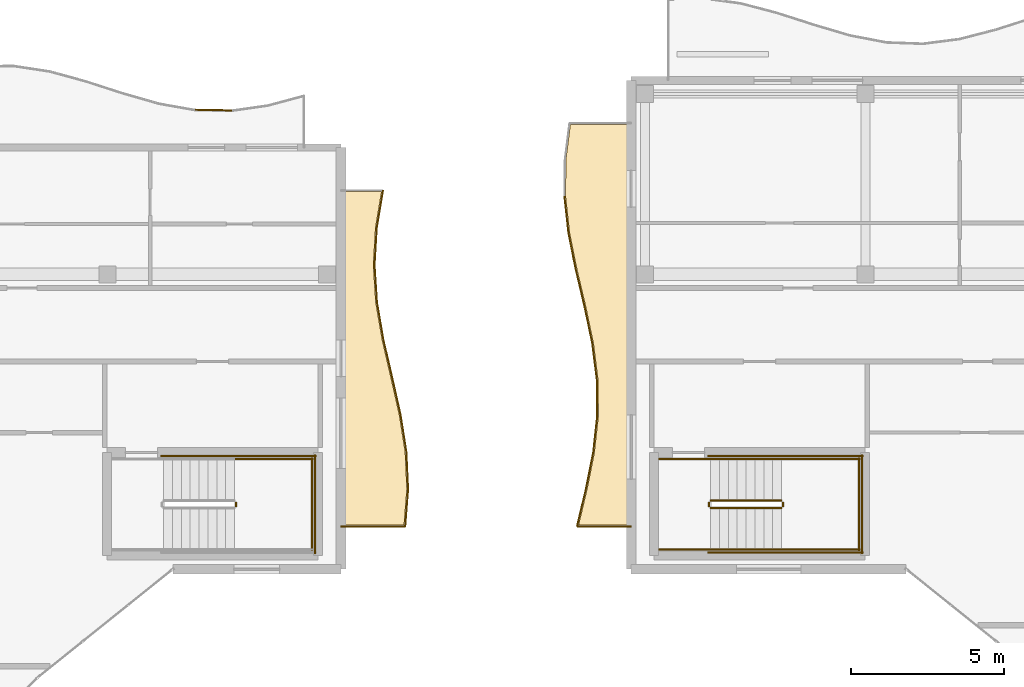
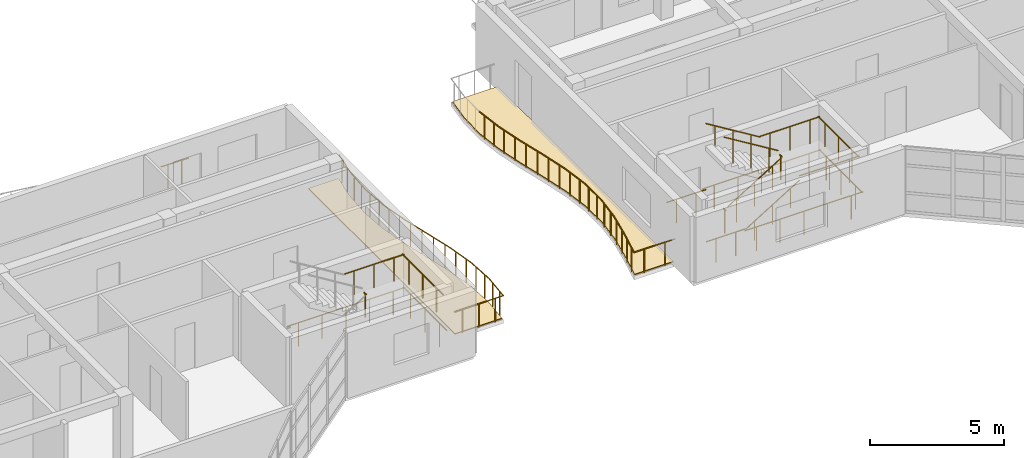
# One storey, part 45 of 49: 40 railings, 2 coverings.
"""IFC4 building model written with IfcOpenShell, lengths in metres."""

from ifc_helpers import new_model, si_unit, direction, frame, origin, origin_2d, place, context, subcontext, project, spatial, polyline, circle, outline, extrude, material, layer, layer_set, type_object, element, save


model = new_model("IFC4")

# Units and contexts
model_context = context("Model", 3, precision=1e-05, world=origin(), true_north=direction((0.0, 1.0)))
body_context = subcontext(model_context, "Body", "Model", "MODEL_VIEW")
ifc_project = project(units=[si_unit("LENGTHUNIT", "METRE"), si_unit("AREAUNIT", "SQUARE_METRE"), si_unit("VOLUMEUNIT", "CUBIC_METRE"), si_unit("PLANEANGLEUNIT", "RADIAN"), si_unit("MASSUNIT", "GRAM", prefix="KILO")], contexts=[model_context])

# Site, building, storey
site_placement = place(None, origin())
site = spatial("IfcSite", under=ifc_project, at=site_placement, CompositionType="ELEMENT")
building_placement = place(site_placement, origin())
building = spatial("IfcBuilding", under=site, at=building_placement, Name="Keldmere Railside Commons", CompositionType="ELEMENT")
storey_placement = place(building_placement, frame((0.0, 0.0, 29.760009765625)))
storey = spatial("IfcBuildingStorey", under=building, at=storey_placement, Name="L09", CompositionType="ELEMENT", Elevation=29.760009765625)

# Railings
ifc_material_1 = material(Name="Steel F-24 (S235)", Category="steel")
railing_type_1 = type_object("IfcRailingType", Name="Balcony & Terrace Steel Balustrade 1100", PredefinedType="BALUSTRADE", material=ifc_material_1)
railing_1_placement = place(storey_placement, frame((132.734375, 115.037109375, 0.0)))
element("IfcRailing", 1, at=railing_1_placement, inside=storey, type_object=railing_type_1, Name="GR-1 GRD-L09-2872", PredefinedType="BALUSTRADE", context=body_context, shape_type="SweptSolid", body=[
    extrude(circle(Radius=0.02392578125, at=origin_2d()), frame((0.0, 0.0, 1.076171875), z_axis=(0.999832914016, -0.018279607508, 0.0), x_axis=(0.018279607508, 0.999832914016, 0.0)), (0.0, 0.0, 1.0), 1.188720703125),
    extrude(circle(Radius=0.02099609375, at=origin_2d()), frame((0.297119140625, -0.00537109375, 0.0)), (0.0, 0.0, 1.0), 1.048095703125),
    extrude(circle(Radius=0.02099609375, at=origin_2d()), frame((0.891357421875, -0.016357421875, 0.0)), (0.0, 0.0, 1.0), 1.048095703125),
])
railing_2_placement = place(storey_placement, frame((137.5, 101.39990234375, 0.0)))
element("IfcRailing", 2, at=railing_2_placement, inside=storey, type_object=railing_type_1, Name="GR-1 GRD-L09-2922", PredefinedType="BALUSTRADE", context=body_context, shape_type="SweptSolid", body=[
    extrude(circle(Radius=0.02392578125, at=origin_2d()), frame((0.0, 0.0, 1.076171875), z_axis=(1.0, 0.0, 0.0), x_axis=(0.0, 1.0, 0.0)), (0.0, 0.0, 1.0), 2.102783203125),
    extrude(circle(Radius=0.02099609375, at=origin_2d()), frame((0.3505859375, 0.0, 0.0)), (0.0, 0.0, 1.0), 1.048095703125),
    extrude(circle(Radius=0.02099609375, at=origin_2d()), frame((1.05126953125, 0.0, 0.0)), (0.0, 0.0, 1.0), 1.048095703125),
    extrude(circle(Radius=0.02099609375, at=origin_2d()), frame((1.75244140625, 0.0, 0.0)), (0.0, 0.0, 1.0), 1.048095703125),
])
railing_3_placement = place(storey_placement, frame((139.602783203125, 101.39990234375, 0.0)))
element("IfcRailing", 3, at=railing_3_placement, inside=storey, type_object=railing_type_1, Name="GR-1 GRD-L09-2923", PredefinedType="BALUSTRADE", context=body_context, shape_type="SweptSolid", body=[
    extrude(circle(Radius=0.02392578125, at=origin_2d()), frame((0.0, 0.0, 1.076171875), z_axis=(0.078051554831, 0.996949324082, 0.0), x_axis=(-0.996949324082, 0.078051554831, 0.0)), (0.0, 0.0, 1.0), 1.22607421875),
    extrude(circle(Radius=0.02099609375, at=origin_2d()), frame((0.02392578125, 0.3056640625, 0.0)), (0.0, 0.0, 1.0), 1.048095703125),
    extrude(circle(Radius=0.02099609375, at=origin_2d()), frame((0.07177734375, 0.916748046875, 0.0)), (0.0, 0.0, 1.0), 1.048095703125),
])
railing_4_placement = place(storey_placement, frame((139.698486328125, 102.622314453125, 0.0)))
element("IfcRailing", 4, at=railing_4_placement, inside=storey, type_object=railing_type_1, Name="GR-1 GRD-L09-2924", PredefinedType="BALUSTRADE", context=body_context, shape_type="SweptSolid", body=[
    extrude(circle(Radius=0.02392578125, at=origin_2d()), frame((0.0, 0.0, 1.076171875), z_axis=(-0.046095576278, 0.998937033975, 0.0), x_axis=(-0.998937033975, -0.046095576278, 0.0)), (0.0, 0.0, 1.0), 1.223388671875),
    extrude(circle(Radius=0.02099609375, at=origin_2d()), frame((-0.01416015625, 0.3056640625, 0.0)), (0.0, 0.0, 1.0), 1.048095703125),
    extrude(circle(Radius=0.02099609375, at=origin_2d()), frame((-0.042236328125, 0.91650390625, 0.0)), (0.0, 0.0, 1.0), 1.048095703125),
])
railing_5_placement = place(storey_placement, frame((139.64208984375, 103.844482421875, 0.0)))
element("IfcRailing", 5, at=railing_5_placement, inside=storey, type_object=railing_type_1, Name="GR-1 GRD-L09-2925", PredefinedType="BALUSTRADE", context=body_context, shape_type="SweptSolid", body=[
    extrude(circle(Radius=0.02392578125, at=origin_2d()), frame((0.0, 0.0, 1.076171875), z_axis=(-0.155881512428, 0.987775761032, 0.0), x_axis=(-0.987775761032, -0.155881512428, 0.0)), (0.0, 0.0, 1.0), 1.2373046875),
    extrude(circle(Radius=0.02099609375, at=origin_2d()), frame((-0.04833984375, 0.3056640625, 0.0)), (0.0, 0.0, 1.0), 1.048095703125),
    extrude(circle(Radius=0.02099609375, at=origin_2d()), frame((-0.14453125, 0.91650390625, 0.0)), (0.0, 0.0, 1.0), 1.048095703125),
])
railing_6_placement = place(storey_placement, frame((139.44921875, 105.066650390625, 0.0)))
element("IfcRailing", 6, at=railing_6_placement, inside=storey, type_object=railing_type_1, Name="GR-1 GRD-L09-2926", PredefinedType="BALUSTRADE", context=body_context, shape_type="SweptSolid", body=[
    extrude(circle(Radius=0.02392578125, at=origin_2d()), frame((0.0, 0.0, 1.076171875), z_axis=(-0.220559874315, 0.975373437121, 0.0), x_axis=(-0.975373437121, -0.220559874315, 0.0)), (0.0, 0.0, 1.0), 1.2529296875),
    extrude(circle(Radius=0.02099609375, at=origin_2d()), frame((-0.069091796875, 0.3056640625, 0.0)), (0.0, 0.0, 1.0), 1.048095703125),
    extrude(circle(Radius=0.02099609375, at=origin_2d()), frame((-0.207275390625, 0.91650390625, 0.0)), (0.0, 0.0, 1.0), 1.048095703125),
])
railing_7_placement = place(storey_placement, frame((139.1728515625, 106.288818359375, 0.0)))
element("IfcRailing", 7, at=railing_7_placement, inside=storey, type_object=railing_type_1, Name="GR-1 GRD-L09-2927", PredefinedType="BALUSTRADE", context=body_context, shape_type="SweptSolid", body=[
    extrude(circle(Radius=0.02392578125, at=origin_2d()), frame((0.0, 0.0, 1.076171875), z_axis=(-0.225186428005, 0.974315694548, 0.0), x_axis=(-0.974315694548, -0.225186428005, 0.0)), (0.0, 0.0, 1.0), 1.25439453125),
    extrude(circle(Radius=0.02099609375, at=origin_2d()), frame((-0.070556640625, 0.3056640625, 0.0)), (0.0, 0.0, 1.0), 1.048095703125),
    extrude(circle(Radius=0.02099609375, at=origin_2d()), frame((-0.2119140625, 0.91650390625, 0.0)), (0.0, 0.0, 1.0), 1.048095703125),
])
railing_8_placement = place(storey_placement, frame((138.890380859375, 107.510986328125, 0.0)))
element("IfcRailing", 8, at=railing_8_placement, inside=storey, type_object=railing_type_1, Name="GR-1 GRD-L09-2928", PredefinedType="BALUSTRADE", context=body_context, shape_type="SweptSolid", body=[
    extrude(circle(Radius=0.02392578125, at=origin_2d()), frame((0.0, 0.0, 1.076171875), z_axis=(-0.16966303938, 0.985502132453, 0.0), x_axis=(-0.985502132453, -0.16966303938, 0.0)), (0.0, 0.0, 1.0), 1.240478515625),
    extrude(circle(Radius=0.02099609375, at=origin_2d()), frame((-0.052734375, 0.3056640625, 0.0)), (0.0, 0.0, 1.0), 1.048095703125),
    extrude(circle(Radius=0.02099609375, at=origin_2d()), frame((-0.15771484375, 0.916748046875, 0.0)), (0.0, 0.0, 1.0), 1.048095703125),
])
railing_9_placement = place(storey_placement, frame((138.679931640625, 108.7333984375, 0.0)))
element("IfcRailing", 9, at=railing_9_placement, inside=storey, type_object=railing_type_1, Name="GR-1 GRD-L09-2929", PredefinedType="BALUSTRADE", context=body_context, shape_type="SweptSolid", body=[
    extrude(circle(Radius=0.02392578125, at=origin_2d()), frame((0.0, 0.0, 1.076171875), z_axis=(-0.065182697633, 0.997873346637, 0.0), x_axis=(-0.997873346637, -0.065182697633, 0.0)), (0.0, 0.0, 1.0), 1.224853515625),
    extrude(circle(Radius=0.02099609375, at=origin_2d()), frame((-0.02001953125, 0.3056640625, 0.0)), (0.0, 0.0, 1.0), 1.048095703125),
    extrude(circle(Radius=0.02099609375, at=origin_2d()), frame((-0.059814453125, 0.91650390625, 0.0)), (0.0, 0.0, 1.0), 1.048095703125),
])
railing_10_placement = place(storey_placement, frame((138.60009765625, 109.95556640625, 0.0)))
element("IfcRailing", 10, at=railing_10_placement, inside=storey, type_object=railing_type_1, Name="GR-1 GRD-L09-2930", PredefinedType="BALUSTRADE", context=body_context, shape_type="SweptSolid", body=[
    extrude(circle(Radius=0.02392578125, at=origin_2d()), frame((0.0, 0.0, 1.076171875), z_axis=(0.059423371014, 0.998232870115, 0.0), x_axis=(-0.998232870115, 0.059423371014, 0.0)), (0.0, 0.0, 1.0), 1.224365234375),
    extrude(circle(Radius=0.02099609375, at=origin_2d()), frame((0.01806640625, 0.3056640625, 0.0)), (0.0, 0.0, 1.0), 1.048095703125),
    extrude(circle(Radius=0.02099609375, at=origin_2d()), frame((0.0546875, 0.91650390625, 0.0)), (0.0, 0.0, 1.0), 1.048095703125),
])
railing_11_placement = place(storey_placement, frame((138.6728515625, 111.177734375, 0.0)))
element("IfcRailing", 11, at=railing_11_placement, inside=storey, type_object=railing_type_1, Name="GR-1 GRD-L09-2931", PredefinedType="BALUSTRADE", context=body_context, shape_type="SweptSolid", body=[
    extrude(circle(Radius=0.02392578125, at=origin_2d()), frame((0.0, 0.0, 1.076171875), z_axis=(0.165868267609, 0.986147918824, 0.0), x_axis=(-0.986147918824, 0.165868267609, 0.0)), (0.0, 0.0, 1.0), 1.2392578125),
    extrude(circle(Radius=0.02099609375, at=origin_2d()), frame((0.05126953125, 0.3056640625, 0.0)), (0.0, 0.0, 1.0), 1.048095703125),
    extrude(circle(Radius=0.02099609375, at=origin_2d()), frame((0.154296875, 0.91650390625, 0.0)), (0.0, 0.0, 1.0), 1.048095703125),
])
railing_12_placement = place(storey_placement, frame((147.0, 101.39990234375, 0.0)))
element("IfcRailing", 12, at=railing_12_placement, inside=storey, type_object=railing_type_1, Name="GR-1 GRD-L09-4322", PredefinedType="BALUSTRADE", context=body_context, shape_type="SweptSolid", body=[
    extrude(circle(Radius=0.02392578125, at=origin_2d()), frame((0.0, 0.0, 1.076171875), z_axis=(-1.0, 0.0, 0.0), x_axis=(0.0, -1.0, 0.0)), (0.0, 0.0, 1.0), 1.772705078125),
    extrude(circle(Radius=0.02099609375, at=origin_2d()), frame((-0.443115234375, 0.0, 0.0)), (0.0, 0.0, 1.0), 1.048095703125),
    extrude(circle(Radius=0.02099609375, at=origin_2d()), frame((-1.32958984375, 0.0, 0.0)), (0.0, 0.0, 1.0), 1.048095703125),
])
railing_13_placement = place(storey_placement, frame((145.227294921875, 101.39990234375, 0.0)))
element("IfcRailing", 13, at=railing_13_placement, inside=storey, type_object=railing_type_1, Name="GR-1 GRD-L09-4323", PredefinedType="BALUSTRADE", context=body_context, shape_type="SweptSolid", body=[
    extrude(circle(Radius=0.02392578125, at=origin_2d()), frame((0.0, 0.0, 1.076171875), z_axis=(0.230782015464, 0.973005478576, 0.0), x_axis=(-0.973005478576, 0.230782015464, 0.0)), (0.0, 0.0, 1.0), 1.2333984375),
    extrude(circle(Radius=0.02099609375, at=origin_2d()), frame((0.0712890625, 0.300048828125, 0.0)), (0.0, 0.0, 1.0), 1.048095703125),
    extrude(circle(Radius=0.02099609375, at=origin_2d()), frame((0.21337890625, 0.900146484375, 0.0)), (0.0, 0.0, 1.0), 1.048095703125),
])
railing_14_placement = place(storey_placement, frame((145.511962890625, 102.60009765625, 0.0)))
element("IfcRailing", 14, at=railing_14_placement, inside=storey, type_object=railing_type_1, Name="GR-1 GRD-L09-4324", PredefinedType="BALUSTRADE", context=body_context, shape_type="SweptSolid", body=[
    extrude(circle(Radius=0.02392578125, at=origin_2d()), frame((0.0, 0.0, 1.076171875), z_axis=(0.196883292367, 0.9804269321, 0.0), x_axis=(-0.9804269321, 0.196883292367, 0.0)), (0.0, 0.0, 1.0), 1.223876953125),
    extrude(circle(Radius=0.02099609375, at=origin_2d()), frame((0.060302734375, 0.300048828125, 0.0)), (0.0, 0.0, 1.0), 1.048095703125),
    extrude(circle(Radius=0.02099609375, at=origin_2d()), frame((0.1806640625, 0.89990234375, 0.0)), (0.0, 0.0, 1.0), 1.048095703125),
])
railing_15_placement = place(storey_placement, frame((145.7529296875, 103.800048828125, 0.0)))
element("IfcRailing", 15, at=railing_15_placement, inside=storey, type_object=railing_type_1, Name="GR-1 GRD-L09-4325", PredefinedType="BALUSTRADE", context=body_context, shape_type="SweptSolid", body=[
    extrude(circle(Radius=0.02392578125, at=origin_2d()), frame((0.0, 0.0, 1.076171875), z_axis=(0.11040933173, 0.993886200461, 0.0), x_axis=(-0.993886200461, 0.11040933173, 0.0)), (0.0, 0.0, 1.0), 1.207275390625),
    extrude(circle(Radius=0.02099609375, at=origin_2d()), frame((0.033203125, 0.300048828125, 0.0)), (0.0, 0.0, 1.0), 1.048095703125),
    extrude(circle(Radius=0.02099609375, at=origin_2d()), frame((0.10009765625, 0.89990234375, 0.0)), (0.0, 0.0, 1.0), 1.048095703125),
])
railing_16_placement = place(storey_placement, frame((145.88623046875, 105.0, 0.0)))
element("IfcRailing", 16, at=railing_16_placement, inside=storey, type_object=railing_type_1, Name="GR-1 GRD-L09-4326", PredefinedType="BALUSTRADE", context=body_context, shape_type="SweptSolid", body=[
    extrude(circle(Radius=0.02392578125, at=origin_2d()), frame((0.0, 0.0, 1.076171875), z_axis=(-0.008951828482, 0.999959931581, 0.0), x_axis=(-0.999959931581, -0.008951828482, 0.0)), (0.0, 0.0, 1.0), 1.199951171875),
    extrude(circle(Radius=0.02099609375, at=origin_2d()), frame((-0.002685546875, 0.300048828125, 0.0)), (0.0, 0.0, 1.0), 1.048095703125),
    extrude(circle(Radius=0.02099609375, at=origin_2d()), frame((-0.008056640625, 0.89990234375, 0.0)), (0.0, 0.0, 1.0), 1.048095703125),
])
railing_17_placement = place(storey_placement, frame((145.87548828125, 106.199951171875, 0.0)))
element("IfcRailing", 17, at=railing_17_placement, inside=storey, type_object=railing_type_1, Name="GR-1 GRD-L09-4327", PredefinedType="BALUSTRADE", context=body_context, shape_type="SweptSolid", body=[
    extrude(circle(Radius=0.02392578125, at=origin_2d()), frame((0.0, 0.0, 1.076171875), z_axis=(-0.125152644749, 0.99213749829, 0.0), x_axis=(-0.99213749829, -0.125152644749, 0.0)), (0.0, 0.0, 1.0), 1.20947265625),
    extrude(circle(Radius=0.02099609375, at=origin_2d()), frame((-0.037841796875, 0.300048828125, 0.0)), (0.0, 0.0, 1.0), 1.048095703125),
    extrude(circle(Radius=0.02099609375, at=origin_2d()), frame((-0.113525390625, 0.89990234375, 0.0)), (0.0, 0.0, 1.0), 1.048095703125),
])
railing_18_placement = place(storey_placement, frame((145.72412109375, 107.39990234375, 0.0)))
element("IfcRailing", 18, at=railing_18_placement, inside=storey, type_object=railing_type_1, Name="GR-1 GRD-L09-4328", PredefinedType="BALUSTRADE", context=body_context, shape_type="SweptSolid", body=[
    extrude(circle(Radius=0.02392578125, at=origin_2d()), frame((0.0, 0.0, 1.076171875), z_axis=(-0.205067195606, 0.978747896696, 0.0), x_axis=(-0.978747896696, -0.205067195606, 0.0)), (0.0, 0.0, 1.0), 1.226318359375),
    extrude(circle(Radius=0.02099609375, at=origin_2d()), frame((-0.06298828125, 0.300048828125, 0.0)), (0.0, 0.0, 1.0), 1.048095703125),
    extrude(circle(Radius=0.02099609375, at=origin_2d()), frame((-0.1884765625, 0.900146484375, 0.0)), (0.0, 0.0, 1.0), 1.048095703125),
])
railing_19_placement = place(storey_placement, frame((145.47265625, 108.60009765625, 0.0)))
element("IfcRailing", 19, at=railing_19_placement, inside=storey, type_object=railing_type_1, Name="GR-1 GRD-L09-4329", PredefinedType="BALUSTRADE", context=body_context, shape_type="SweptSolid", body=[
    extrude(circle(Radius=0.02392578125, at=origin_2d()), frame((0.0, 0.0, 1.076171875), z_axis=(-0.230826468553, 0.97299493391, 0.0), x_axis=(-0.97299493391, -0.230826468553, 0.0)), (0.0, 0.0, 1.0), 1.233154296875),
    extrude(circle(Radius=0.02099609375, at=origin_2d()), frame((-0.0712890625, 0.300048828125, 0.0)), (0.0, 0.0, 1.0), 1.048095703125),
    extrude(circle(Radius=0.02099609375, at=origin_2d()), frame((-0.21337890625, 0.89990234375, 0.0)), (0.0, 0.0, 1.0), 1.048095703125),
])
railing_20_placement = place(storey_placement, frame((145.18798828125, 109.800048828125, 0.0)))
element("IfcRailing", 20, at=railing_20_placement, inside=storey, type_object=railing_type_1, Name="GR-1 GRD-L09-4330", PredefinedType="BALUSTRADE", context=body_context, shape_type="SweptSolid", body=[
    extrude(circle(Radius=0.02392578125, at=origin_2d()), frame((0.0, 0.0, 1.076171875), z_axis=(-0.196883292367, 0.9804269321, 0.0), x_axis=(-0.9804269321, -0.196883292367, 0.0)), (0.0, 0.0, 1.0), 1.223876953125),
    extrude(circle(Radius=0.02099609375, at=origin_2d()), frame((-0.060302734375, 0.300048828125, 0.0)), (0.0, 0.0, 1.0), 1.048095703125),
    extrude(circle(Radius=0.02099609375, at=origin_2d()), frame((-0.1806640625, 0.89990234375, 0.0)), (0.0, 0.0, 1.0), 1.048095703125),
])
railing_21_placement = place(storey_placement, frame((144.947021484375, 111.0, 0.0)))
element("IfcRailing", 21, at=railing_21_placement, inside=storey, type_object=railing_type_1, Name="GR-1 GRD-L09-4331", PredefinedType="BALUSTRADE", context=body_context, shape_type="SweptSolid", body=[
    extrude(circle(Radius=0.02392578125, at=origin_2d()), frame((0.0, 0.0, 1.076171875), z_axis=(-0.11040933173, 0.993886200461, 0.0), x_axis=(-0.993886200461, -0.11040933173, 0.0)), (0.0, 0.0, 1.0), 1.207275390625),
    extrude(circle(Radius=0.02099609375, at=origin_2d()), frame((-0.033203125, 0.300048828125, 0.0)), (0.0, 0.0, 1.0), 1.048095703125),
    extrude(circle(Radius=0.02099609375, at=origin_2d()), frame((-0.10009765625, 0.89990234375, 0.0)), (0.0, 0.0, 1.0), 1.048095703125),
])
railing_type_2 = type_object("IfcRailingType", Name="Stair Well Steel Guardrail 1100", PredefinedType="BALUSTRADE", material=ifc_material_1)
railing_22_placement = place(storey_placement, frame((134.070068359375, 102.050048828125, 1.60009765625)))
element("IfcRailing", 22, at=railing_22_placement, inside=storey, type_object=railing_type_2, Name="L09 ST-B2 stair guard 2", PredefinedType="BALUSTRADE", context=body_context, shape_type="SweptSolid", body=[
    extrude(circle(Radius=0.02392578125, at=origin_2d()), frame((0.0, 0.0, 1.076171875), z_axis=(0.0, 1.0, 0.0), x_axis=(-1.0, 0.0, 0.0)), (0.0, 0.0, 1.0), 0.14990234375),
    extrude(circle(Radius=0.02099609375, at=origin_2d()), frame((0.0, 0.074951171875, 0.0)), (0.0, 0.0, 1.0), 1.048095703125),
])
railing_23_placement = place(storey_placement, frame((134.02001953125, 103.60009765625, 1.60009765625)))
element("IfcRailing", 23, at=railing_23_placement, inside=storey, type_object=railing_type_2, Name="L09 ST-B2 stair guard 4", PredefinedType="BALUSTRADE", context=body_context, shape_type="SweptSolid", body=[
    extrude(circle(Radius=0.02392578125, at=origin_2d()), frame((0.0, 0.0, 1.076171875), z_axis=(1.0, 0.0, 0.0), x_axis=(0.0, 1.0, 0.0)), (0.0, 0.0, 1.0), 2.580078125),
    extrude(circle(Radius=0.02099609375, at=origin_2d()), frame((0.429931640625, 0.0, 0.0)), (0.0, 0.0, 1.0), 1.048095703125),
    extrude(circle(Radius=0.02099609375, at=origin_2d()), frame((1.2900390625, 0.0, 0.0)), (0.0, 0.0, 1.0), 1.048095703125),
    extrude(circle(Radius=0.02099609375, at=origin_2d()), frame((2.150146484375, 0.0, 0.0)), (0.0, 0.0, 1.0), 1.048095703125),
])
railing_24_placement = place(storey_placement, frame((136.550048828125, 100.60009765625, 1.60009765625)))
element("IfcRailing", 24, at=railing_24_placement, inside=storey, type_object=railing_type_2, Name="L09 ST-B2 stair guard 5", PredefinedType="BALUSTRADE", context=body_context, shape_type="SweptSolid", body=[
    extrude(circle(Radius=0.02392578125, at=origin_2d()), frame((0.0, 0.0, 1.076171875), z_axis=(0.0, 1.0, 0.0), x_axis=(-1.0, 0.0, 0.0)), (0.0, 0.0, 1.0), 3.0498046875),
    extrude(circle(Radius=0.02099609375, at=origin_2d()), frame((0.0, 0.50830078125, 0.0)), (0.0, 0.0, 1.0), 1.048095703125),
    extrude(circle(Radius=0.02099609375, at=origin_2d()), frame((0.0, 1.52490234375, 0.0)), (0.0, 0.0, 1.0), 1.048095703125),
    extrude(circle(Radius=0.02099609375, at=origin_2d()), frame((0.0, 2.54150390625, 0.0)), (0.0, 0.0, 1.0), 1.048095703125),
])
railing_25_placement = place(storey_placement, frame((131.60009765625, 103.699951171875, 0.0)))
element("IfcRailing", 25, at=railing_25_placement, inside=storey, type_object=railing_type_2, Name="L09 ST-B2 stair guard 11", PredefinedType="BALUSTRADE", context=body_context, shape_type="SweptSolid", body=[
    extrude(circle(Radius=0.02392578125, at=origin_2d()), frame((0.0, 0.0, 1.076171875), z_axis=(1.0, 0.0, 0.0), x_axis=(0.0, 1.0, 0.0)), (0.0, 0.0, 1.0), 5.099853515625),
    extrude(circle(Radius=0.02099609375, at=origin_2d()), frame((0.510009765625, 0.0, 0.0)), (0.0, 0.0, 1.0), 1.048095703125),
    extrude(circle(Radius=0.02099609375, at=origin_2d()), frame((1.530029296875, 0.0, 0.0)), (0.0, 0.0, 1.0), 1.048095703125),
    extrude(circle(Radius=0.02099609375, at=origin_2d()), frame((2.5498046875, 0.0, 0.0)), (0.0, 0.0, 1.0), 1.048095703125),
    extrude(circle(Radius=0.02099609375, at=origin_2d()), frame((3.56982421875, 0.0, 0.0)), (0.0, 0.0, 1.0), 1.048095703125),
    extrude(circle(Radius=0.02099609375, at=origin_2d()), frame((4.58984375, 0.0, 0.0)), (0.0, 0.0, 1.0), 1.048095703125),
])
railing_26_placement = place(storey_placement, frame((136.64990234375, 100.5, 0.0)))
element("IfcRailing", 26, at=railing_26_placement, inside=storey, type_object=railing_type_2, Name="L09 ST-B2 stair guard 12", PredefinedType="BALUSTRADE", context=body_context, shape_type="SweptSolid", body=[
    extrude(circle(Radius=0.02392578125, at=origin_2d()), frame((0.0, 0.0, 1.076171875), z_axis=(0.0, 1.0, 0.0), x_axis=(-1.0, 0.0, 0.0)), (0.0, 0.0, 1.0), 3.25),
    extrude(circle(Radius=0.02099609375, at=origin_2d()), frame((0.0, 0.541748046875, 0.0)), (0.0, 0.0, 1.0), 1.048095703125),
    extrude(circle(Radius=0.02099609375, at=origin_2d()), frame((0.0, 1.625, 0.0)), (0.0, 0.0, 1.0), 1.048095703125),
    extrude(circle(Radius=0.02099609375, at=origin_2d()), frame((0.0, 2.708251953125, 0.0)), (0.0, 0.0, 1.0), 1.048095703125),
])
railing_27_placement = place(storey_placement, frame((149.60009765625, 102.0, 0.177734375)))
element("IfcRailing", 27, at=railing_27_placement, inside=storey, type_object=railing_type_2, Name="L09 ST-A2 stair guard 1", PredefinedType="BALUSTRADE", context=body_context, shape_type="SweptSolid", body=[
    extrude(circle(Radius=0.02392578125, at=origin_2d()), frame((0.0, 0.0, 1.076171875), z_axis=(0.852513557019, 0.0, 0.522705112944), x_axis=(0.0, 1.0, 0.0)), (0.0, 0.0, 1.0), 2.72119140625),
    extrude(circle(Radius=0.02099609375, at=origin_2d()), frame((0.38671875, 0.0, 0.237060546875)), (0.0, 0.0, 1.0), 1.048095703125),
    extrude(circle(Radius=0.02099609375, at=origin_2d()), frame((1.159912109375, 0.0, 0.711181640625)), (0.0, 0.0, 1.0), 1.048095703125),
    extrude(circle(Radius=0.02099609375, at=origin_2d()), frame((1.93310546875, 0.0, 1.185302734375)), (0.0, 0.0, 1.0), 1.048095703125),
])
railing_28_placement = place(storey_placement, frame((151.969970703125, 102.050048828125, 1.60009765625)))
element("IfcRailing", 28, at=railing_28_placement, inside=storey, type_object=railing_type_2, Name="L09 ST-A2 stair guard 2", PredefinedType="BALUSTRADE", context=body_context, shape_type="SweptSolid", body=[
    extrude(circle(Radius=0.02392578125, at=origin_2d()), frame((0.0, 0.0, 1.076171875), z_axis=(0.0, 1.0, 0.0), x_axis=(-1.0, 0.0, 0.0)), (0.0, 0.0, 1.0), 0.14990234375),
    extrude(circle(Radius=0.02099609375, at=origin_2d()), frame((0.0, 0.074951171875, 0.0)), (0.0, 0.0, 1.0), 1.048095703125),
])
for number, where, name in (
    (29, (151.919921875, 100.64990234375, 1.60009765625), "L09 ST-A2 stair guard 3"),
    (30, (151.919921875, 103.60009765625, 1.60009765625), "L09 ST-A2 stair guard 4"),
):
    element("IfcRailing", number, at=place(storey_placement, frame(where)), inside=storey, type_object=railing_type_2, Name=name, PredefinedType="BALUSTRADE", context=body_context, shape_type="SweptSolid", body=[
        extrude(circle(Radius=0.02392578125, at=origin_2d()), frame((0.0, 0.0, 1.076171875), z_axis=(1.0, 0.0, 0.0), x_axis=(0.0, 1.0, 0.0)), (0.0, 0.0, 1.0), 2.580078125),
        extrude(circle(Radius=0.02099609375, at=origin_2d()), frame((0.429931640625, 0.0, 0.0)), (0.0, 0.0, 1.0), 1.048095703125),
        extrude(circle(Radius=0.02099609375, at=origin_2d()), frame((1.2900390625, 0.0, 0.0)), (0.0, 0.0, 1.0), 1.048095703125),
        extrude(circle(Radius=0.02099609375, at=origin_2d()), frame((2.150146484375, 0.0, 0.0)), (0.0, 0.0, 1.0), 1.048095703125),
    ])
railing_29_placement = place(storey_placement, frame((154.449951171875, 100.60009765625, 1.60009765625)))
element("IfcRailing", 31, at=railing_29_placement, inside=storey, type_object=railing_type_2, Name="L09 ST-A2 stair guard 5", PredefinedType="BALUSTRADE", context=body_context, shape_type="SweptSolid", body=[
    extrude(circle(Radius=0.02392578125, at=origin_2d()), frame((0.0, 0.0, 1.076171875), z_axis=(0.0, 1.0, 0.0), x_axis=(-1.0, 0.0, 0.0)), (0.0, 0.0, 1.0), 3.0498046875),
    extrude(circle(Radius=0.02099609375, at=origin_2d()), frame((0.0, 0.50830078125, 0.0)), (0.0, 0.0, 1.0), 1.048095703125),
    extrude(circle(Radius=0.02099609375, at=origin_2d()), frame((0.0, 1.52490234375, 0.0)), (0.0, 0.0, 1.0), 1.048095703125),
    extrude(circle(Radius=0.02099609375, at=origin_2d()), frame((0.0, 2.54150390625, 0.0)), (0.0, 0.0, 1.0), 1.048095703125),
])
railing_30_placement = place(storey_placement, frame((151.919921875, 102.25, 1.77783203125)))
element("IfcRailing", 32, at=railing_30_placement, inside=storey, type_object=railing_type_2, Name="L09 ST-A2 stair guard 6", PredefinedType="BALUSTRADE", context=body_context, shape_type="SweptSolid", body=[
    extrude(circle(Radius=0.02392578125, at=origin_2d()), frame((0.0, 0.0, 1.076171875), z_axis=(-0.85255353654, 0.0, 0.522639902162), x_axis=(0.0, -1.0, 0.0)), (0.0, 0.0, 1.0), 2.720947265625),
    extrude(circle(Radius=0.02099609375, at=origin_2d()), frame((-0.38671875, 0.0, 0.237060546875)), (0.0, 0.0, 1.0), 1.048095703125),
    extrude(circle(Radius=0.02099609375, at=origin_2d()), frame((-1.159912109375, 0.0, 0.7109375)), (0.0, 0.0, 1.0), 1.048095703125),
    extrude(circle(Radius=0.02099609375, at=origin_2d()), frame((-1.93310546875, 0.0, 1.18505859375)), (0.0, 0.0, 1.0), 1.048095703125),
])
railing_31_placement = place(storey_placement, frame((149.550048828125, 102.050048828125, 0.0)))
element("IfcRailing", 33, at=railing_31_placement, inside=storey, type_object=railing_type_2, Name="L09 ST-A2 stair guard 7", PredefinedType="BALUSTRADE", context=body_context, shape_type="SweptSolid", body=[
    extrude(circle(Radius=0.02392578125, at=origin_2d()), frame((0.0, 0.0, 1.076171875), z_axis=(0.0, 1.0, 0.0), x_axis=(-1.0, 0.0, 0.0)), (0.0, 0.0, 1.0), 0.14990234375),
    extrude(circle(Radius=0.02099609375, at=origin_2d()), frame((0.0, 0.074951171875, 0.0)), (0.0, 0.0, 1.0), 1.048095703125),
])
for number, where, name in (
    (34, (147.89990234375, 100.64990234375, 0.0), "L09 ST-A2 stair guard 8"),
    (35, (147.89990234375, 103.60009765625, 0.0), "L09 ST-A2 stair guard 9"),
):
    element("IfcRailing", number, at=place(storey_placement, frame(where)), inside=storey, type_object=railing_type_2, Name=name, PredefinedType="BALUSTRADE", context=body_context, shape_type="SweptSolid", body=[
        extrude(circle(Radius=0.02392578125, at=origin_2d()), frame((0.0, 0.0, 1.076171875), z_axis=(1.0, 0.0, 0.0), x_axis=(0.0, 1.0, 0.0)), (0.0, 0.0, 1.0), 1.7001953125),
        extrude(circle(Radius=0.02099609375, at=origin_2d()), frame((0.425048828125, 0.0, 0.0)), (0.0, 0.0, 1.0), 1.048095703125),
        extrude(circle(Radius=0.02099609375, at=origin_2d()), frame((1.275146484375, 0.0, 0.0)), (0.0, 0.0, 1.0), 1.048095703125),
    ])
for number, where, name in (
    (36, (149.5, 100.550048828125, 0.0), "L09 ST-A2 stair guard 10"),
    (37, (149.5, 103.699951171875, 0.0), "L09 ST-A2 stair guard 11"),
):
    element("IfcRailing", number, at=place(storey_placement, frame(where)), inside=storey, type_object=railing_type_2, Name=name, PredefinedType="BALUSTRADE", context=body_context, shape_type="SweptSolid", body=[
        extrude(circle(Radius=0.02392578125, at=origin_2d()), frame((0.0, 0.0, 1.076171875), z_axis=(1.0, 0.0, 0.0), x_axis=(0.0, 1.0, 0.0)), (0.0, 0.0, 1.0), 5.10009765625),
        extrude(circle(Radius=0.02099609375, at=origin_2d()), frame((0.510009765625, 0.0, 0.0)), (0.0, 0.0, 1.0), 1.048095703125),
        extrude(circle(Radius=0.02099609375, at=origin_2d()), frame((1.530029296875, 0.0, 0.0)), (0.0, 0.0, 1.0), 1.048095703125),
        extrude(circle(Radius=0.02099609375, at=origin_2d()), frame((2.550048828125, 0.0, 0.0)), (0.0, 0.0, 1.0), 1.048095703125),
        extrude(circle(Radius=0.02099609375, at=origin_2d()), frame((3.570068359375, 0.0, 0.0)), (0.0, 0.0, 1.0), 1.048095703125),
        extrude(circle(Radius=0.02099609375, at=origin_2d()), frame((4.590087890625, 0.0, 0.0)), (0.0, 0.0, 1.0), 1.048095703125),
    ])
railing_32_placement = place(storey_placement, frame((154.550048828125, 100.5, 0.0)))
element("IfcRailing", 38, at=railing_32_placement, inside=storey, type_object=railing_type_2, Name="L09 ST-A2 stair guard 12", PredefinedType="BALUSTRADE", context=body_context, shape_type="SweptSolid", body=[
    extrude(circle(Radius=0.02392578125, at=origin_2d()), frame((0.0, 0.0, 1.076171875), z_axis=(0.0, 1.0, 0.0), x_axis=(-1.0, 0.0, 0.0)), (0.0, 0.0, 1.0), 3.25),
    extrude(circle(Radius=0.02099609375, at=origin_2d()), frame((0.0, 0.541748046875, 0.0)), (0.0, 0.0, 1.0), 1.048095703125),
    extrude(circle(Radius=0.02099609375, at=origin_2d()), frame((0.0, 1.625, 0.0)), (0.0, 0.0, 1.0), 1.048095703125),
    extrude(circle(Radius=0.02099609375, at=origin_2d()), frame((0.0, 2.708251953125, 0.0)), (0.0, 0.0, 1.0), 1.048095703125),
])
railing_type_3 = type_object("IfcRailingType", Name="Wall-Mounted Tubular Steel Handrail 900", PredefinedType="HANDRAIL", material=ifc_material_1)
railing_33_placement = place(storey_placement, frame((149.60009765625, 100.64990234375, 0.177734375)))
element("IfcRailing", 39, at=railing_33_placement, inside=storey, type_object=railing_type_3, Name="L09 ST-A2 stair handrail 1", PredefinedType="HANDRAIL", context=body_context, shape_type="SweptSolid", body=[
    extrude(circle(Radius=0.02392578125, at=origin_2d()), frame((0.0, 0.0, 0.8759765625), z_axis=(0.852513557019, 0.0, 0.522705112944), x_axis=(0.0, 1.0, 0.0)), (0.0, 0.0, 1.0), 2.72119140625),
    extrude(circle(Radius=0.02099609375, at=origin_2d()), frame((0.38671875, 0.0, 0.237060546875)), (0.0, 0.0, 1.0), 0.847900390625),
    extrude(circle(Radius=0.02099609375, at=origin_2d()), frame((1.159912109375, 0.0, 0.711181640625)), (0.0, 0.0, 1.0), 0.847900390625),
    extrude(circle(Radius=0.02099609375, at=origin_2d()), frame((1.93310546875, 0.0, 1.185302734375)), (0.0, 0.0, 1.0), 0.847900390625),
])
railing_34_placement = place(storey_placement, frame((151.919921875, 103.60009765625, 1.77783203125)))
element("IfcRailing", 40, at=railing_34_placement, inside=storey, type_object=railing_type_3, Name="L09 ST-A2 stair handrail 2", PredefinedType="HANDRAIL", context=body_context, shape_type="SweptSolid", body=[
    extrude(circle(Radius=0.02392578125, at=origin_2d()), frame((0.0, 0.0, 0.8759765625), z_axis=(-0.85255353654, 0.0, 0.522639902162), x_axis=(0.0, -1.0, 0.0)), (0.0, 0.0, 1.0), 2.720947265625),
    extrude(circle(Radius=0.02099609375, at=origin_2d()), frame((-0.38671875, 0.0, 0.237060546875)), (0.0, 0.0, 1.0), 0.847900390625),
    extrude(circle(Radius=0.02099609375, at=origin_2d()), frame((-1.159912109375, 0.0, 0.7109375)), (0.0, 0.0, 1.0), 0.847900390625),
    extrude(circle(Radius=0.02099609375, at=origin_2d()), frame((-1.93310546875, 0.0, 1.18505859375)), (0.0, 0.0, 1.0), 0.847900390625),
])

# Coverings
ifc_material_2 = material(Name="White Precast Concrete C35/45", Category="concrete")
ifc_layer = layer(ifc_material_2, 0.044921875, Name="White Architectural Balcony Ribbon Cladding 45")
ifc_layer_set = layer_set([ifc_layer], Name="White Precast Concrete C35/45")
covering_type = type_object("IfcCoveringType", Name="White Architectural Balcony Ribbon Cladding 45", PredefinedType="FLOORING", material=ifc_layer_set)
covering_1_placement = place(storey_placement, origin())
element("IfcCovering", 41, at=covering_1_placement, inside=storey, type_object=covering_type, Name="CLG-WB B L09 WE White Balcony Ribbon", PredefinedType="FLOORING", context=body_context, shape_type="SweptSolid", body=[
    extrude(outline(polyline([(139.658447265625, 102.622802734375), (139.602294921875, 103.84033203125), (139.409912109375, 105.05908203125), (139.1337890625, 106.280029296875), (138.851318359375, 107.502197265625), (138.850830078125, 107.50439453125), (138.640380859375, 108.7265625), (138.639892578125, 108.730712890625), (138.56005859375, 109.952880859375), (138.56005859375, 109.9580078125), (138.633056640625, 111.18017578125), (138.633544921875, 111.184326171875), (138.8310546875, 112.360107421875), (137.5400390625, 112.360107421875), (137.5400390625, 101.43994140625), (139.565673828125, 101.43994140625), (139.658447265625, 102.622802734375)])), origin(), (0.0, 0.0, 1.0), 0.044921875),
])
covering_2_placement = place(storey_placement, origin())
element("IfcCovering", 42, at=covering_2_placement, inside=storey, type_object=covering_type, Name="CLG-WB A L09 WW White Balcony Ribbon", PredefinedType="FLOORING", context=body_context, shape_type="SweptSolid", body=[
    extrude(outline(polyline([(146.9599609375, 114.56005859375), (145.010986328125, 114.56005859375), (144.864501953125, 113.397216796875), (144.853759765625, 112.201904296875), (144.986572265625, 111.006103515625), (145.227294921875, 109.80859375), (145.511474609375, 108.609130859375), (145.51171875, 108.608154296875), (145.76318359375, 107.408203125), (145.763916015625, 107.405029296875), (145.915283203125, 106.205078125), (145.91552734375, 106.200439453125), (145.92626953125, 105.00048828125), (145.926025390625, 104.99560546875), (145.792724609375, 103.795654296875), (145.792236328125, 103.7919921875), (145.551025390625, 102.592041015625), (145.55078125, 102.5908203125), (145.278076171875, 101.43994140625), (146.9599609375, 101.43994140625), (146.9599609375, 114.56005859375)])), origin(), (0.0, 0.0, 1.0), 0.044921875),
])

save(model, "model.ifc")
